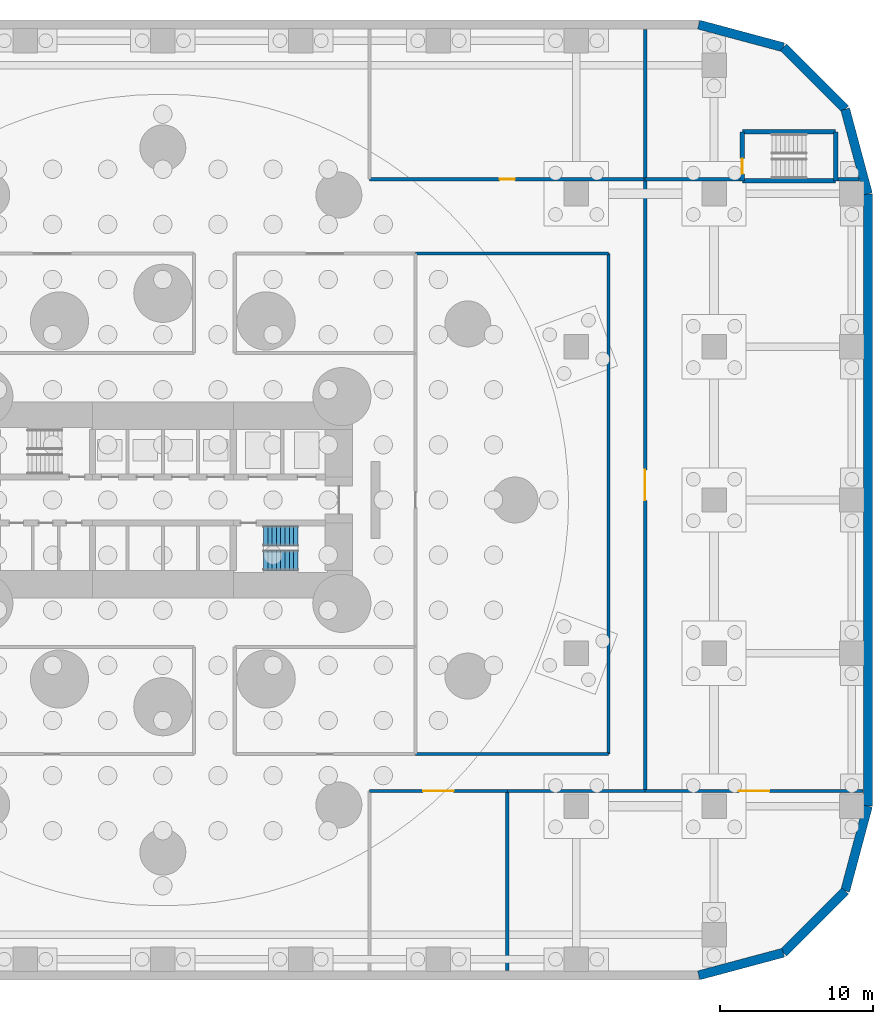
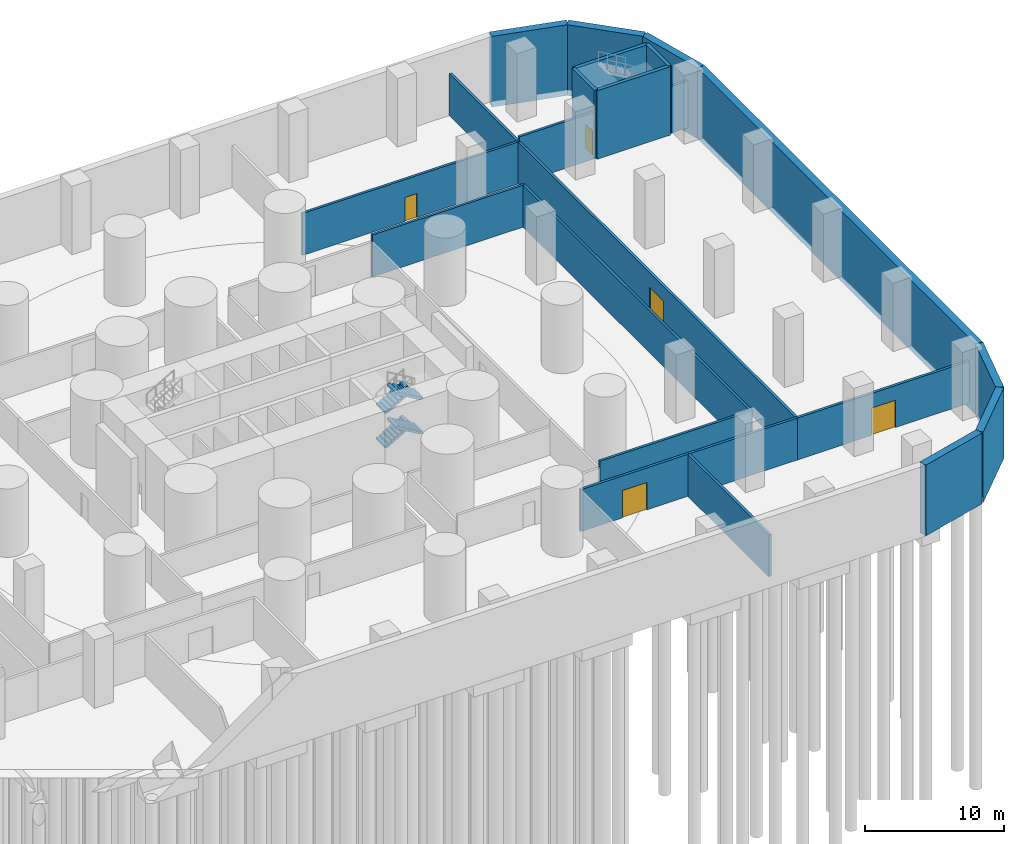
# One storey, part 7 of 10: 23 walls, 5 doors, 4 stair flights, 5 openings, 1 element without a shape of its own.
"""IFC4 building model written with IfcOpenShell, lengths in metres."""

from ifc_helpers import new_model, si_unit, direction, frame, frame_2d, origin, place, context, subcontext, project, spatial, polyline, rectangle, outline, extrude, material, layer, layer_set, type_object, element, fill, aggregate, save


model = new_model("IFC4")

# Units and contexts
model_context = context("Model", 3, precision=1e-05, world=origin(), true_north=direction((0.0, 1.0)))
body_context = subcontext(model_context, "Body", "Model", "MODEL_VIEW")
ifc_project = project(units=[si_unit("LENGTHUNIT", "METRE"), si_unit("AREAUNIT", "SQUARE_METRE"), si_unit("VOLUMEUNIT", "CUBIC_METRE"), si_unit("PLANEANGLEUNIT", "RADIAN"), si_unit("MASSUNIT", "GRAM", prefix="KILO")], contexts=[model_context])

# Site, building, storey
site_placement = place(None, origin())
site = spatial("IfcSite", under=ifc_project, at=site_placement, CompositionType="ELEMENT")
building_placement = place(site_placement, origin())
building = spatial("IfcBuilding", under=site, at=building_placement, Name="Qaws Media Tower", CompositionType="ELEMENT")
storey_placement = place(building_placement, frame((0.0, 0.0, -6.0)))
storey = spatial("IfcBuildingStorey", under=building, at=storey_placement, Name="B1", CompositionType="ELEMENT", Elevation=-6.0)

# Wall
ifc_material_1 = material(Name="215 dense concrete blockwork, fair faced", Category="masonry")
ifc_layer_1 = layer(ifc_material_1, 0.215087890625)
ifc_layer_set_1 = layer_set([ifc_layer_1], Name="Plant room blockwork wall 215")
wall_type_1 = type_object("IfcWallType", Name="Plant room blockwork wall 215", PredefinedType="PARTITIONING", material=ifc_layer_set_1)
wall_1_placement = place(storey_placement, frame((82.5, 19.2548828125, 0.0), z_axis=(0.0, 0.0, 1.0), x_axis=(0.0, 1.0, 0.0)))
element("IfcWall", 1, at=wall_1_placement, inside=storey, type_object=wall_type_1, Name="W743 IW7 partition B1", PredefinedType="PARTITIONING", context=body_context, shape_type="SweptSolid", body=[
    extrude(rectangle(XDim=11.7451171875, YDim=0.215087890625, at=frame_2d((5.87255859375, 0.0))), origin(), (0.0, 0.0, 1.0), 3.679931640625),
])

# Wall, opening, door
wall_2_placement = place(storey_placement, frame((91.5, 31.0, 0.0), z_axis=(0.0, 0.0, 1.0), x_axis=(0.0, 1.0, 0.0)))
wall_2 = element("IfcWall", 2, at=wall_2_placement, inside=storey, type_object=wall_type_1, Name="W745 IW7 partition B1", PredefinedType="PARTITIONING", context=body_context, shape_type="SweptSolid", body=[
    extrude(rectangle(XDim=39.949951171875, YDim=0.215087890625, at=frame_2d((19.97509765625, 0.0))), origin(), (0.0, 0.0, 1.0), 3.679931640625),
])
opening_1_placement = place(wall_2_placement, frame((18.97509765625, 0.0, 0.0)))
opening_1 = element("IfcOpeningElement", 3, at=opening_1_placement, cuts=wall_2, Name="Opening D19", PredefinedType="OPENING", context=body_context, shape_type="SweptSolid", body=[
    extrude(rectangle(XDim=2.0, YDim=2.39990234375, at=frame_2d((1.0, 1.199951171875))), frame((0.0, 0.117431640625, 0.0), z_axis=(0.0, -1.0, 0.0), x_axis=(1.0, 0.0, 0.0)), (0.0, 0.0, 1.0), 0.235107421875),
])
ifc_material_2 = material(Name="Steel, fire rated, louvred", Category="steel")
door_type_1 = type_object("IfcDoorType", Name="Plant room door pair 2000x2400", OperationType="DOUBLE_DOOR_DOUBLE_SWING", PredefinedType="DOOR", material=ifc_material_2)
door_1_placement = place(opening_1_placement, origin())
door_1 = element("IfcDoor", 4, at=door_1_placement, inside=storey, type_object=door_type_1, Name="D19 Water tank room door in wall W745", OperationType="DOUBLE_DOOR_DOUBLE_SWING", OverallHeight=2.39990234375, OverallWidth=2.0, PredefinedType="DOOR", context=body_context, shape_type="SweptSolid", body=[
    extrude(rectangle(XDim=2.0, YDim=2.39990234375, at=frame_2d((1.0, 1.199951171875))), frame((0.0, 0.02490234375, 0.0), z_axis=(0.0, -1.0, 0.0), x_axis=(1.0, 0.0, 0.0)), (0.0, 0.0, 1.0), 0.050048828125),
])
fill(opening_1, door_1)

# Wall
wall_3_placement = place(storey_placement, frame((91.5, 70.949951171875, 0.0), z_axis=(0.0, 0.0, 1.0), x_axis=(0.0, 1.0, 0.0)))
element("IfcWall", 5, at=wall_3_placement, inside=storey, type_object=wall_type_1, Name="W747 IW7 partition B1", PredefinedType="PARTITIONING", context=body_context, shape_type="SweptSolid", body=[
    extrude(rectangle(XDim=9.795166015625, YDim=0.215087890625, at=frame_2d((4.8974609375, 0.0))), origin(), (0.0, 0.0, 1.0), 3.679931640625),
])

# Wall, opening, door
wall_4_placement = place(storey_placement, frame((73.5, 31.0, 0.0), z_axis=(0.0, 0.0, 1.0), x_axis=(1.0, 0.0, 0.0)))
wall_4 = element("IfcWall", 6, at=wall_4_placement, inside=storey, type_object=wall_type_1, Name="W741 IW7 partition B1", PredefinedType="PARTITIONING", context=body_context, shape_type="SweptSolid", body=[
    extrude(rectangle(XDim=9.0, YDim=0.215087890625, at=frame_2d((4.5, 0.0))), origin(), (0.0, 0.0, 1.0), 3.679931640625),
])
opening_2_placement = place(wall_4_placement, frame((3.5, 0.0, 0.0)))
opening_2 = element("IfcOpeningElement", 7, at=opening_2_placement, cuts=wall_4, Name="Opening D19", PredefinedType="OPENING", context=body_context, shape_type="SweptSolid", body=[
    extrude(rectangle(XDim=2.0, YDim=2.39990234375, at=frame_2d((1.0, 1.199951171875))), frame((0.0, 0.117431640625, 0.0), z_axis=(0.0, -1.0, 0.0), x_axis=(1.0, 0.0, 0.0)), (0.0, 0.0, 1.0), 0.235107421875),
])
door_2_placement = place(opening_2_placement, origin())
door_2 = element("IfcDoor", 8, at=door_2_placement, inside=storey, type_object=door_type_1, Name="D19 Switch room door in wall W741", OperationType="DOUBLE_DOOR_DOUBLE_SWING", OverallHeight=2.39990234375, OverallWidth=2.0, PredefinedType="DOOR", context=body_context, shape_type="SweptSolid", body=[
    extrude(rectangle(XDim=2.0, YDim=2.39990234375, at=frame_2d((1.0, 1.199951171875))), frame((0.0, 0.02490234375, 0.0), z_axis=(0.0, -1.0, 0.0), x_axis=(1.0, 0.0, 0.0)), (0.0, 0.0, 1.0), 0.050048828125),
])
fill(opening_2, door_2)

# Wall
wall_5_placement = place(storey_placement, frame((82.5, 31.0, 0.0), z_axis=(0.0, 0.0, 1.0), x_axis=(1.0, 0.0, 0.0)))
element("IfcWall", 9, at=wall_5_placement, inside=storey, type_object=wall_type_1, Name="W744 IW7 partition B1", PredefinedType="PARTITIONING", context=body_context, shape_type="SweptSolid", body=[
    extrude(rectangle(XDim=9.0, YDim=0.215087890625, at=frame_2d((4.5, 0.0))), origin(), (0.0, 0.0, 1.0), 3.679931640625),
])

# Wall, opening, door
wall_6_placement = place(storey_placement, frame((91.5, 31.0, 0.0), z_axis=(0.0, 0.0, 1.0), x_axis=(1.0, 0.0, 0.0)))
wall_6 = element("IfcWall", 10, at=wall_6_placement, inside=storey, type_object=wall_type_1, Name="W746 IW7 partition B1", PredefinedType="PARTITIONING", context=body_context, shape_type="SweptSolid", body=[
    extrude(rectangle(XDim=14.2451171875, YDim=0.215087890625, at=frame_2d((7.12255859375, 0.0))), origin(), (0.0, 0.0, 1.0), 3.679931640625),
])
opening_3_placement = place(wall_6_placement, frame((6.12255859375, 0.0, 0.0)))
opening_3 = element("IfcOpeningElement", 11, at=opening_3_placement, cuts=wall_6, Name="Opening D19", PredefinedType="OPENING", context=body_context, shape_type="SweptSolid", body=[
    extrude(rectangle(XDim=2.0, YDim=2.39990234375, at=frame_2d((1.0, 1.199951171875))), frame((0.0, 0.117431640625, 0.0), z_axis=(0.0, -1.0, 0.0), x_axis=(1.0, 0.0, 0.0)), (0.0, 0.0, 1.0), 0.235107421875),
])
door_3_placement = place(opening_3_placement, origin())
door_3 = element("IfcDoor", 12, at=door_3_placement, inside=storey, type_object=door_type_1, Name="D19 Fire pump room door in wall W746", OperationType="DOUBLE_DOOR_DOUBLE_SWING", OverallHeight=2.39990234375, OverallWidth=2.0, PredefinedType="DOOR", context=body_context, shape_type="SweptSolid", body=[
    extrude(rectangle(XDim=2.0, YDim=2.39990234375, at=frame_2d((1.0, 1.199951171875))), frame((0.0, 0.02490234375, 0.0), z_axis=(0.0, -1.0, 0.0), x_axis=(1.0, 0.0, 0.0)), (0.0, 0.0, 1.0), 0.050048828125),
])
fill(opening_3, door_3)

# Walls
ifc_material_3 = material(Name="Concrete C60/75", Category="concrete")
ifc_layer_2 = layer(ifc_material_3, 0.60009765625)
ifc_layer_set_2 = layer_set([ifc_layer_2], Name="Retaining wall 600")
wall_type_2 = type_object("IfcWallType", Name="Retaining wall 600", PredefinedType="SOLIDWALL", material=ifc_layer_set_2)
wall_7_placement = place(storey_placement, frame((95.0, 18.949951171875, -0.5), z_axis=(0.0, 0.0, 1.0), x_axis=(0.965922520654, 0.258831381584, 0.0)))
element("IfcWall", 13, at=wall_7_placement, inside=storey, type_object=wall_type_2, Name="W803 RW1 retaining wall 1", PredefinedType="SOLIDWALL", context=body_context, shape_type="SweptSolid", body=[
    extrude(rectangle(XDim=5.7197265625, YDim=0.60009765625, at=frame_2d((2.85986328125, 0.0))), origin(), (0.0, 0.0, 1.0), 6.199951171875),
])
wall_8_placement = place(storey_placement, frame((100.52490234375, 20.430419921875, -0.5), z_axis=(0.0, 0.0, 1.0), x_axis=(0.707106781187, 0.707106781187, 0.0)))
element("IfcWall", 14, at=wall_8_placement, inside=storey, type_object=wall_type_2, Name="W805 RW1 retaining wall 2", PredefinedType="SOLIDWALL", context=body_context, shape_type="SweptSolid", body=[
    extrude(rectangle(XDim=5.719970703125, YDim=0.60009765625, at=frame_2d((2.85986328125, 0.0))), origin(), (0.0, 0.0, 1.0), 6.199951171875),
])
wall_9_placement = place(storey_placement, frame((104.569580078125, 24.47509765625, -0.5), z_axis=(0.0, 0.0, 1.0), x_axis=(0.258831381584, 0.965922520654, 0.0)))
element("IfcWall", 15, at=wall_9_placement, inside=storey, type_object=wall_type_2, Name="W807 RW1 retaining wall 3", PredefinedType="SOLIDWALL", context=body_context, shape_type="SweptSolid", body=[
    extrude(rectangle(XDim=5.7197265625, YDim=0.60009765625, at=frame_2d((2.85986328125, 0.0))), origin(), (0.0, 0.0, 1.0), 6.199951171875),
])
wall_10_placement = place(storey_placement, frame((106.050048828125, 30.0, -0.5), z_axis=(0.0, 0.0, 1.0), x_axis=(0.0, 1.0, 0.0)))
element("IfcWall", 16, at=wall_10_placement, inside=storey, type_object=wall_type_2, Name="W809 RW1 retaining wall 4", PredefinedType="SOLIDWALL", context=body_context, shape_type="SweptSolid", body=[
    extrude(rectangle(XDim=40.0, YDim=0.60009765625, at=frame_2d((20.0, 0.0))), origin(), (0.0, 0.0, 1.0), 6.199951171875),
])
wall_11_placement = place(storey_placement, frame((106.050048828125, 70.0, -0.5), z_axis=(0.0, 0.0, 1.0), x_axis=(-0.258831381584, 0.965922520654, 0.0)))
element("IfcWall", 17, at=wall_11_placement, inside=storey, type_object=wall_type_2, Name="W810 RW1 retaining wall 5", PredefinedType="SOLIDWALL", context=body_context, shape_type="SweptSolid", body=[
    extrude(rectangle(XDim=5.7197265625, YDim=0.60009765625, at=frame_2d((2.85986328125, 0.0))), origin(), (0.0, 0.0, 1.0), 6.199951171875),
])
wall_12_placement = place(storey_placement, frame((104.569580078125, 75.52490234375, -0.5), z_axis=(0.0, 0.0, 1.0), x_axis=(-0.707106781187, 0.707106781187, 0.0)))
element("IfcWall", 18, at=wall_12_placement, inside=storey, type_object=wall_type_2, Name="W808 RW1 retaining wall 6", PredefinedType="SOLIDWALL", context=body_context, shape_type="SweptSolid", body=[
    extrude(rectangle(XDim=5.719970703125, YDim=0.60009765625, at=frame_2d((2.85986328125, 0.0))), origin(), (0.0, 0.0, 1.0), 6.199951171875),
])
wall_13_placement = place(storey_placement, frame((100.52490234375, 79.569580078125, -0.5), z_axis=(0.0, 0.0, 1.0), x_axis=(-0.965922520654, 0.258831381584, 0.0)))
element("IfcWall", 19, at=wall_13_placement, inside=storey, type_object=wall_type_2, Name="W806 RW1 retaining wall 7", PredefinedType="SOLIDWALL", context=body_context, shape_type="SweptSolid", body=[
    extrude(rectangle(XDim=5.7197265625, YDim=0.60009765625, at=frame_2d((2.85986328125, 0.0))), origin(), (0.0, 0.0, 1.0), 6.199951171875),
])
ifc_material_4 = material(Name="Gypsum board on galvanised metal studs, acoustic double stud, deflection head", Category="gypsum")
ifc_layer_3 = layer(ifc_material_4, 0.199951171875)
ifc_layer_set_3 = layer_set([ifc_layer_3], Name="Room partition 200")
wall_type_3 = type_object("IfcWallType", Name="Room partition 200", PredefinedType="PARTITIONING", material=ifc_layer_set_3)
wall_14_placement = place(storey_placement, frame((89.10009765625, 33.39990234375, 0.0), z_axis=(0.0, 0.0, 1.0), x_axis=(0.0, 1.0, 0.0)))
element("IfcWall", 20, at=wall_14_placement, inside=storey, type_object=wall_type_3, Name="W838 IW3 partition B1", PredefinedType="PARTITIONING", context=body_context, shape_type="SweptSolid", body=[
    extrude(rectangle(XDim=32.7001953125, YDim=0.199951171875, at=frame_2d((16.35009765625, 0.0))), origin(), (0.0, 0.0, 1.0), 3.679931640625),
])
for number, where, z_axis, x_axis, name in (
    (21, (76.5, 33.39990234375, 0.0), (0.0, 0.0, 1.0), (1.0, 0.0, 0.0), "W834 IW3 partition B1"),
    (22, (76.5, 66.10009765625, 0.0), (0.0, 0.0, 1.0), (1.0, 0.0, 0.0), "W837 IW3 partition B1"),
):
    element("IfcWall", number, at=place(storey_placement, frame(where, z_axis=z_axis, x_axis=x_axis)), inside=storey, type_object=wall_type_3, Name=name, PredefinedType="PARTITIONING", context=body_context, shape_type="SweptSolid", body=[
        extrude(rectangle(XDim=12.60009765625, YDim=0.199951171875, at=frame_2d((6.300048828125, 0.0))), origin(), (0.0, 0.0, 1.0), 3.679931640625),
    ])

# Wall, opening, door
wall_15_placement = place(storey_placement, frame((73.5, 70.949951171875, 0.0), z_axis=(0.0, 0.0, 1.0), x_axis=(1.0, 0.0, 0.0)))
wall_15 = element("IfcWall", 23, at=wall_15_placement, inside=storey, type_object=wall_type_3, Name="W832 IW3 partition B1", PredefinedType="PARTITIONING", context=body_context, shape_type="SweptSolid", body=[
    extrude(rectangle(XDim=18.0, YDim=0.199951171875, at=frame_2d((9.0, 0.0))), origin(), (0.0, 0.0, 1.0), 3.679931640625),
])
opening_4_placement = place(wall_15_placement, frame((8.5, 0.0, 0.0)))
opening_4 = element("IfcOpeningElement", 24, at=opening_4_placement, cuts=wall_15, Name="Opening D5", PredefinedType="OPENING", context=body_context, shape_type="SweptSolid", body=[
    extrude(rectangle(XDim=1.0, YDim=2.10009765625, at=frame_2d((0.5, 1.050048828125))), frame((0.0, 0.10986328125, 0.0), z_axis=(0.0, -1.0, 0.0), x_axis=(1.0, 0.0, 0.0)), (0.0, 0.0, 1.0), 0.219970703125),
])
ifc_material_5 = material(Name="Timber veneered, acoustic seal", Category="wood")
door_type_2 = type_object("IfcDoorType", Name="Room door 1000", OperationType="SINGLE_SWING_LEFT", PredefinedType="DOOR", material=ifc_material_5)
door_4_placement = place(opening_4_placement, origin())
door_4 = element("IfcDoor", 25, at=door_4_placement, inside=storey, type_object=door_type_2, Name="D5 General store door in wall W832", OperationType="SINGLE_SWING_LEFT", OverallHeight=2.10009765625, OverallWidth=1.0, PredefinedType="DOOR", context=body_context, shape_type="SweptSolid", body=[
    extrude(rectangle(XDim=1.0, YDim=2.10009765625, at=frame_2d((0.5, 1.050048828125))), frame((0.0, 0.02490234375, 0.0), z_axis=(0.0, -1.0, 0.0), x_axis=(1.0, 0.0, 0.0)), (0.0, 0.0, 1.0), 0.050048828125),
])
fill(opening_4, door_4)

# Walls
wall_16_placement = place(storey_placement, frame((91.5, 70.949951171875, 0.0), z_axis=(0.0, 0.0, 1.0), x_axis=(1.0, 0.0, 0.0)))
element("IfcWall", 26, at=wall_16_placement, inside=storey, type_object=wall_type_3, Name="W839 IW3 partition B1", PredefinedType="PARTITIONING", context=body_context, shape_type="SweptSolid", body=[
    extrude(rectangle(XDim=6.199951171875, YDim=0.199951171875, at=frame_2d((3.10009765625, 0.0))), origin(), (0.0, 0.0, 1.0), 4.10009765625),
])
wall_17_placement = place(storey_placement, frame((104.10009765625, 70.949951171875, 0.0), z_axis=(0.0, 0.0, 1.0), x_axis=(1.0, 0.0, 0.0)))
element("IfcWall", 27, at=wall_17_placement, inside=storey, type_object=wall_type_3, Name="W840 IW3 partition B1", PredefinedType="PARTITIONING", context=body_context, shape_type="SweptSolid", body=[
    extrude(rectangle(XDim=1.379638671875, YDim=0.199951171875, at=frame_2d((0.68994140625, 0.0))), origin(), (0.0, 0.0, 1.0), 4.10009765625),
])
ifc_material_6 = material(Name="Concrete C60/75", Category="concrete")
ifc_layer_4 = layer(ifc_material_6, 0.300048828125)
ifc_layer_set_4 = layer_set([ifc_layer_4], Name="Stair enclosure wall 300")
wall_type_4 = type_object("IfcWallType", Name="Stair enclosure wall 300", PredefinedType="SHEAR", material=ifc_layer_set_4)
for number, where, z_axis, x_axis, name in (
    (28, (97.85009765625, 70.85009765625, 0.0), (0.0, 0.0, 1.0), (1.0, 0.0, 0.0), "W1887 SW7 stair S4 enclosure S B1"),
    (29, (97.85009765625, 74.050048828125, 0.0), (0.0, 0.0, 1.0), (1.0, 0.0, 0.0), "W1888 SW7 stair S4 enclosure N B1"),
):
    element("IfcWall", number, at=place(storey_placement, frame(where, z_axis=z_axis, x_axis=x_axis)), inside=storey, type_object=wall_type_4, Name=name, PredefinedType="SHEAR", context=body_context, shape_type="SweptSolid", body=[
        extrude(rectangle(XDim=6.099853515625, YDim=0.300048828125, at=frame_2d((3.0498046875, 0.0))), origin(), (0.0, 0.0, 1.0), 6.0),
    ])

# Wall, opening, door
wall_18_placement = place(storey_placement, frame((97.85009765625, 70.85009765625, 0.0), z_axis=(0.0, 0.0, 1.0), x_axis=(0.0, 1.0, 0.0)))
wall_18 = element("IfcWall", 30, at=wall_18_placement, inside=storey, type_object=wall_type_4, Name="W1886 SW7 stair S4 enclosure W B1", PredefinedType="SHEAR", context=body_context, shape_type="SweptSolid", body=[
    extrude(rectangle(XDim=3.199951171875, YDim=0.300048828125, at=frame_2d((1.60009765625, 0.0))), origin(), (0.0, 0.0, 1.0), 6.0),
])
opening_5_placement = place(wall_18_placement, frame((0.449951171875, 0.0, 0.0)))
opening_5 = element("IfcOpeningElement", 31, at=opening_5_placement, cuts=wall_18, Name="Opening D1", PredefinedType="OPENING", context=body_context, shape_type="SweptSolid", body=[
    extrude(rectangle(XDim=1.0, YDim=2.10009765625, at=frame_2d((0.5, 1.050048828125))), frame((0.0, 0.159912109375, 0.0), z_axis=(0.0, -1.0, 0.0), x_axis=(1.0, 0.0, 0.0)), (0.0, 0.0, 1.0), 0.320068359375),
])
ifc_material_7 = material(Name="Steel, fire rated", Category="steel")
door_type_3 = type_object("IfcDoorType", Name="Stair door 1000 FD120", OperationType="SINGLE_SWING_LEFT", PredefinedType="DOOR", material=ifc_material_7)
door_5_placement = place(opening_5_placement, origin())
door_5 = element("IfcDoor", 32, at=door_5_placement, inside=storey, type_object=door_type_3, Name="D1 stair S4 door B1 in wall W1886", OperationType="SINGLE_SWING_LEFT", OverallHeight=2.10009765625, OverallWidth=1.0, PredefinedType="DOOR", context=body_context, shape_type="SweptSolid", body=[
    extrude(rectangle(XDim=1.0, YDim=2.10009765625, at=frame_2d((0.5, 1.050048828125))), frame((0.0, 0.02490234375, 0.0), z_axis=(0.0, -1.0, 0.0), x_axis=(1.0, 0.0, 0.0)), (0.0, 0.0, 1.0), 0.050048828125),
])
fill(opening_5, door_5)

# Wall
wall_19_placement = place(storey_placement, frame((103.949951171875, 70.85009765625, 0.0), z_axis=(0.0, 0.0, 1.0), x_axis=(0.0, 1.0, 0.0)))
element("IfcWall", 33, at=wall_19_placement, inside=storey, type_object=wall_type_4, Name="W1889 SW7 stair S4 enclosure E B1", PredefinedType="SHEAR", context=body_context, shape_type="SweptSolid", body=[
    extrude(rectangle(XDim=3.199951171875, YDim=0.300048828125, at=frame_2d((1.60009765625, 0.0))), origin(), (0.0, 0.0, 1.0), 6.0),
])

# Stair, stair flights
ifc_material_8 = material(Name="Concrete C40/50", Category="concrete")
stair_type = type_object("IfcStairType", Name="Exit stair", PredefinedType="HALF_TURN_STAIR", material=ifc_material_8)
stair_placement = place(storey_placement, origin())
stair = element("IfcStair", 34, at=stair_placement, inside=storey, type_object=stair_type, Name="S2 exit stair B1", PredefinedType="HALF_TURN_STAIR")
ifc_material_9 = material(Name="Concrete C40/50", Category="concrete")
stair_flight_type = type_object("IfcStairFlightType", Name="Stair flight 1310", PredefinedType="STRAIGHT", material=ifc_material_9)
stair_flight_1_placement = place(storey_placement, frame((66.580078125, 47.64501953125, 0.0), z_axis=(0.0, 0.0, 1.0), x_axis=(1.0, 0.0, 0.0)))
stair_flight_1 = element("IfcStairFlight", 35, at=stair_flight_1_placement, type_object=stair_flight_type, Name="S2 flight 1", NumberOfRisers=9, NumberOfTreads=8, PredefinedType="STRAIGHT", RiserHeight=0.166666667, TreadLength=0.28, context=body_context, shape_type="SweptSolid", body=[
    extrude(outline(polyline([(0.0, 0.0), (0.0, 0.166748046875), (0.280029296875, 0.166748046875), (0.280029296875, 0.333251953125), (0.56005859375, 0.333251953125), (0.56005859375, 0.5), (0.840087890625, 0.5), (0.840087890625, 0.666748046875), (1.1201171875, 0.666748046875), (1.1201171875, 0.833251953125), (1.39990234375, 0.833251953125), (1.39990234375, 1.0), (1.679931640625, 1.0), (1.679931640625, 1.166748046875), (1.9599609375, 1.166748046875), (1.9599609375, 1.333251953125), (2.239990234375, 1.333251953125), (2.239990234375, 1.5), (2.239990234375, 1.158935546875), (0.29296875, 0.0), (0.0, 0.0)])), frame((0.0, 0.655029296875, 0.0), z_axis=(0.0, -1.0, 0.0), x_axis=(1.0, 0.0, 0.0)), (0.0, 0.0, 1.0), 1.31005859375),
])
stair_flight_2_placement = place(storey_placement, frame((68.820068359375, 46.054931640625, 1.5), z_axis=(0.0, 0.0, 1.0), x_axis=(-1.0, 0.0, 0.0)))
stair_flight_2 = element("IfcStairFlight", 36, at=stair_flight_2_placement, type_object=stair_flight_type, Name="S2 flight 2", NumberOfRisers=9, NumberOfTreads=8, PredefinedType="STRAIGHT", RiserHeight=0.166666667, TreadLength=0.28, context=body_context, shape_type="SweptSolid", body=[
    extrude(outline(polyline([(0.0, 0.0), (0.0, 0.166748046875), (0.280029296875, 0.166748046875), (0.280029296875, 0.333251953125), (0.56005859375, 0.333251953125), (0.56005859375, 0.5), (0.840087890625, 0.5), (0.840087890625, 0.666748046875), (1.1201171875, 0.666748046875), (1.1201171875, 0.833251953125), (1.39990234375, 0.833251953125), (1.39990234375, 1.0), (1.679931640625, 1.0), (1.679931640625, 1.166748046875), (1.9599609375, 1.166748046875), (1.9599609375, 1.333251953125), (2.239990234375, 1.333251953125), (2.239990234375, 1.5), (2.239990234375, 1.158935546875), (0.29296875, 0.0), (0.0, 0.0)])), frame((0.0, 0.655029296875, 0.0), z_axis=(0.0, -1.0, 0.0), x_axis=(1.0, 0.0, 0.0)), (0.0, 0.0, 1.0), 1.31005859375),
])
stair_flight_3_placement = place(storey_placement, frame((66.580078125, 47.64501953125, 3.0), z_axis=(0.0, 0.0, 1.0), x_axis=(1.0, 0.0, 0.0)))
stair_flight_3 = element("IfcStairFlight", 37, at=stair_flight_3_placement, type_object=stair_flight_type, Name="S2 flight 3", NumberOfRisers=9, NumberOfTreads=8, PredefinedType="STRAIGHT", RiserHeight=0.166666667, TreadLength=0.28, context=body_context, shape_type="SweptSolid", body=[
    extrude(outline(polyline([(0.0, 0.0), (0.0, 0.166748046875), (0.280029296875, 0.166748046875), (0.280029296875, 0.333251953125), (0.56005859375, 0.333251953125), (0.56005859375, 0.5), (0.840087890625, 0.5), (0.840087890625, 0.666748046875), (1.1201171875, 0.666748046875), (1.1201171875, 0.833251953125), (1.39990234375, 0.833251953125), (1.39990234375, 1.0), (1.679931640625, 1.0), (1.679931640625, 1.166748046875), (1.9599609375, 1.166748046875), (1.9599609375, 1.333251953125), (2.239990234375, 1.333251953125), (2.239990234375, 1.5), (2.239990234375, 1.158935546875), (0.29296875, 0.0), (0.0, 0.0)])), frame((0.0, 0.655029296875, 0.0), z_axis=(0.0, -1.0, 0.0), x_axis=(1.0, 0.0, 0.0)), (0.0, 0.0, 1.0), 1.31005859375),
])
stair_flight_4_placement = place(storey_placement, frame((68.820068359375, 46.054931640625, 4.5), z_axis=(0.0, 0.0, 1.0), x_axis=(-1.0, 0.0, 0.0)))
stair_flight_4 = element("IfcStairFlight", 38, at=stair_flight_4_placement, type_object=stair_flight_type, Name="S2 flight 4", NumberOfRisers=9, NumberOfTreads=8, PredefinedType="STRAIGHT", RiserHeight=0.166666667, TreadLength=0.28, context=body_context, shape_type="SweptSolid", body=[
    extrude(outline(polyline([(0.0, 0.0), (0.0, 0.166748046875), (0.280029296875, 0.166748046875), (0.280029296875, 0.333251953125), (0.56005859375, 0.333251953125), (0.56005859375, 0.5), (0.840087890625, 0.5), (0.840087890625, 0.666748046875), (1.1201171875, 0.666748046875), (1.1201171875, 0.833251953125), (1.39990234375, 0.833251953125), (1.39990234375, 1.0), (1.679931640625, 1.0), (1.679931640625, 1.166748046875), (1.9599609375, 1.166748046875), (1.9599609375, 1.333251953125), (2.239990234375, 1.333251953125), (2.239990234375, 1.5), (2.239990234375, 1.158935546875), (0.29296875, 0.0), (0.0, 0.0)])), frame((0.0, 0.655029296875, 0.0), z_axis=(0.0, -1.0, 0.0), x_axis=(1.0, 0.0, 0.0)), (0.0, 0.0, 1.0), 1.31005859375),
])
aggregate(stair, [stair_flight_1, stair_flight_2, stair_flight_3, stair_flight_4])

save(model, "model.ifc")
